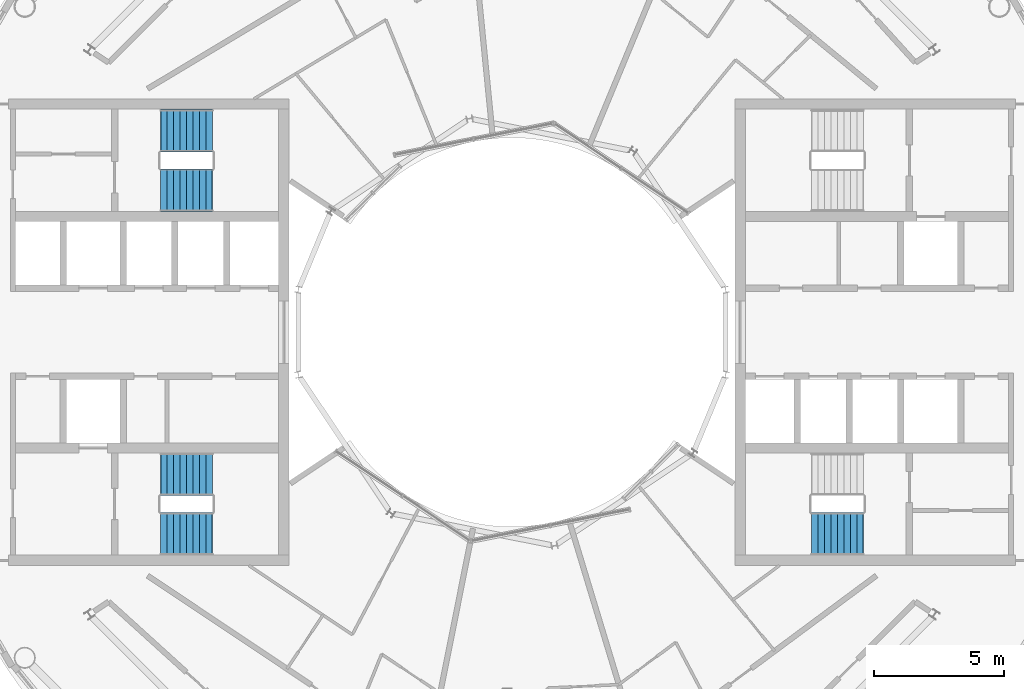
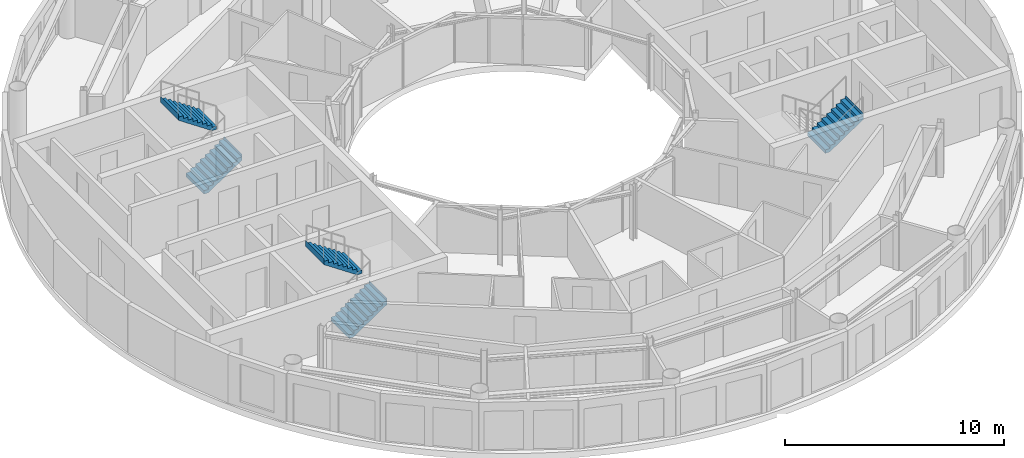
# One storey, part 15 of 17: 5 stair flights, 3 elements without a shape of their own.
"""IFC4 building model written with IfcOpenShell, lengths in metres."""

from ifc_helpers import new_model, si_unit, direction, frame, origin, place, context, subcontext, project, spatial, triangles, material, type_object, element, aggregate, save


model = new_model("IFC4")

# Units and contexts
model_context = context("Model", 3, precision=1e-05, world=origin(), true_north=direction((0.0, 1.0)))
body_context = subcontext(model_context, "Body", "Model", "MODEL_VIEW")
ifc_project = project(units=[si_unit("LENGTHUNIT", "METRE"), si_unit("AREAUNIT", "SQUARE_METRE"), si_unit("VOLUMEUNIT", "CUBIC_METRE"), si_unit("PLANEANGLEUNIT", "RADIAN"), si_unit("MASSUNIT", "GRAM", prefix="KILO")], contexts=[model_context])

# Site, building, storey
site_placement = place(None, origin())
site = spatial("IfcSite", under=ifc_project, at=site_placement, CompositionType="ELEMENT")
building_placement = place(site_placement, origin())
building = spatial("IfcBuilding", under=site, at=building_placement, Name="Maasbend Ring Residences", CompositionType="ELEMENT")
storey_placement = place(building_placement, frame((0.0, 0.0, 249.300048828125)))
storey = spatial("IfcBuildingStorey", under=building, at=storey_placement, Name="L72", CompositionType="ELEMENT", Elevation=249.300048828125)

# Stair, stair flight
ifc_material_1 = material(Name="Concrete C40/50", Category="concrete")
stair_type = type_object("IfcStairType", Name="CORE STAIR 18 RISERS", PredefinedType="HALF_TURN_STAIR", material=ifc_material_1)
stair_1_placement = place(storey_placement, origin())
stair_1 = element("IfcStair", 1, at=stair_1_placement, inside=storey, type_object=stair_type, Name="L72 Exit stair ST-E2", PredefinedType="HALF_TURN_STAIR")
ifc_material_2 = material(Name="Concrete C40/50", Category="concrete")
stair_flight_type = type_object("IfcStairFlightType", Name="CORE STAIR FLIGHT 1650", PredefinedType="STRAIGHT", material=ifc_material_2)
stair_flight_1_placement = place(storey_placement, frame((11.550048828125, -7.77490234375, 1.52490234375), z_axis=(0.0, 0.0, 1.0), x_axis=(1.0, 0.0, 0.0)))
stair_flight_1 = element("IfcStairFlight", 2, at=stair_flight_1_placement, type_object=stair_flight_type, Name="ST-E2 flight 2", NumberOfRisers=9, NumberOfTreads=8, PredefinedType="STRAIGHT", RiserHeight=0.169444444, TreadLength=0.25, context=body_context, shape_type="Tessellation", body=[
    triangles([(0.24072265625, 0.824951171875, -0.02001953125), (2.0029296875, 0.824951171875, 1.174560546875), (2.0029296875, 0.824951171875, 1.52490234375), (1.989990234375, 0.824951171875, 1.35546875), (1.75, 0.824951171875, 1.35546875), (1.75, 0.824951171875, 1.18603515625), (1.5, 0.824951171875, 1.18603515625), (1.5, 0.824951171875, 1.0166015625), (1.25, 0.824951171875, 1.0166015625), (1.25, 0.824951171875, 0.84716796875), (1.0, 0.824951171875, 0.84716796875), (1.0, 0.824951171875, 0.677734375), (0.75, 0.824951171875, 0.677734375), (0.75, 0.824951171875, 0.50830078125), (0.5, 0.824951171875, 0.50830078125), (0.5, 0.824951171875, 0.3388671875), (0.25, 0.824951171875, 0.3388671875), (0.25, 0.824951171875, 0.16943359375), (0.0, 0.824951171875, 0.16943359375), (0.0, 0.824951171875, 0.0), (-0.0029296875, 0.824951171875, 0.0), (-0.0029296875, 0.824951171875, -0.02001953125), (0.24072265625, 0.27490234375, -0.02001953125), (2.0029296875, 0.27490234375, 1.174560546875), (2.0029296875, 0.27490234375, 1.52490234375), (1.989990234375, 0.27490234375, 1.35546875), (1.75, 0.27490234375, 1.35546875), (1.75, 0.27490234375, 1.18603515625), (1.5, 0.27490234375, 1.18603515625), (1.5, 0.27490234375, 1.0166015625), (1.25, 0.27490234375, 1.0166015625), (1.25, 0.27490234375, 0.84716796875), (1.0, 0.27490234375, 0.84716796875), (1.0, 0.27490234375, 0.677734375), (0.75, 0.27490234375, 0.677734375), (0.75, 0.27490234375, 0.50830078125), (0.5, 0.27490234375, 0.50830078125), (0.5, 0.27490234375, 0.3388671875), (0.25, 0.27490234375, 0.3388671875), (0.25, 0.27490234375, 0.16943359375), (0.0, 0.27490234375, 0.16943359375), (0.0, 0.27490234375, 0.0), (-0.0029296875, 0.27490234375, 0.0), (-0.0029296875, 0.27490234375, -0.02001953125), (0.24072265625, -0.27490234375, -0.02001953125), (2.0029296875, -0.27490234375, 1.174560546875), (2.0029296875, -0.27490234375, 1.52490234375), (1.989990234375, -0.27490234375, 1.35546875), (1.75, -0.27490234375, 1.35546875), (1.75, -0.27490234375, 1.18603515625), (1.5, -0.27490234375, 1.18603515625), (1.5, -0.27490234375, 1.0166015625), (1.25, -0.27490234375, 1.0166015625), (1.25, -0.27490234375, 0.84716796875), (1.0, -0.27490234375, 0.84716796875), (1.0, -0.27490234375, 0.677734375), (0.75, -0.27490234375, 0.677734375), (0.75, -0.27490234375, 0.50830078125), (0.5, -0.27490234375, 0.50830078125), (0.5, -0.27490234375, 0.3388671875), (0.25, -0.27490234375, 0.3388671875), (0.25, -0.27490234375, 0.16943359375), (0.0, -0.27490234375, 0.16943359375), (0.0, -0.27490234375, 0.0), (-0.0029296875, -0.27490234375, 0.0), (-0.0029296875, -0.27490234375, -0.02001953125), (0.24072265625, -0.824951171875, -0.02001953125), (2.0029296875, -0.824951171875, 1.174560546875), (2.0029296875, -0.824951171875, 1.52490234375), (1.989990234375, -0.824951171875, 1.35546875), (1.75, -0.824951171875, 1.35546875), (1.75, -0.824951171875, 1.18603515625), (1.5, -0.824951171875, 1.18603515625), (1.5, -0.824951171875, 1.0166015625), (1.25, -0.824951171875, 1.0166015625), (1.25, -0.824951171875, 0.84716796875), (1.0, -0.824951171875, 0.84716796875), (1.0, -0.824951171875, 0.677734375), (0.75, -0.824951171875, 0.677734375), (0.75, -0.824951171875, 0.50830078125), (0.5, -0.824951171875, 0.50830078125), (0.5, -0.824951171875, 0.3388671875), (0.25, -0.824951171875, 0.3388671875), (0.25, -0.824951171875, 0.16943359375), (0.0, -0.824951171875, 0.16943359375), (0.0, -0.824951171875, 0.0), (-0.0029296875, -0.824951171875, 0.0), (-0.0029296875, -0.824951171875, -0.02001953125)], [[1, 2, 24], [1, 24, 23], [23, 24, 46], [23, 46, 45], [45, 46, 68], [45, 68, 67], [2, 3, 25], [2, 25, 24], [24, 25, 47], [24, 47, 46], [46, 47, 69], [46, 69, 68], [3, 4, 26], [3, 26, 25], [25, 26, 48], [25, 48, 47], [47, 48, 70], [47, 70, 69], [4, 5, 27], [4, 27, 26], [26, 27, 49], [26, 49, 48], [48, 49, 71], [48, 71, 70], [5, 6, 28], [5, 28, 27], [27, 28, 50], [27, 50, 49], [49, 50, 72], [49, 72, 71], [6, 7, 29], [6, 29, 28], [28, 29, 51], [28, 51, 50], [50, 51, 73], [50, 73, 72], [7, 8, 30], [7, 30, 29], [29, 30, 52], [29, 52, 51], [51, 52, 74], [51, 74, 73], [8, 9, 31], [8, 31, 30], [30, 31, 53], [30, 53, 52], [52, 53, 75], [52, 75, 74], [9, 10, 32], [9, 32, 31], [31, 32, 54], [31, 54, 53], [53, 54, 76], [53, 76, 75], [10, 11, 33], [10, 33, 32], [32, 33, 55], [32, 55, 54], [54, 55, 77], [54, 77, 76], [11, 12, 34], [11, 34, 33], [33, 34, 56], [33, 56, 55], [55, 56, 78], [55, 78, 77], [12, 13, 35], [12, 35, 34], [34, 35, 57], [34, 57, 56], [56, 57, 79], [56, 79, 78], [13, 14, 36], [13, 36, 35], [35, 36, 58], [35, 58, 57], [57, 58, 80], [57, 80, 79], [14, 15, 37], [14, 37, 36], [36, 37, 59], [36, 59, 58], [58, 59, 81], [58, 81, 80], [15, 16, 38], [15, 38, 37], [37, 38, 60], [37, 60, 59], [59, 60, 82], [59, 82, 81], [16, 17, 39], [16, 39, 38], [38, 39, 61], [38, 61, 60], [60, 61, 83], [60, 83, 82], [17, 18, 40], [17, 40, 39], [39, 40, 62], [39, 62, 61], [61, 62, 84], [61, 84, 83], [18, 19, 41], [18, 41, 40], [40, 41, 63], [40, 63, 62], [62, 63, 85], [62, 85, 84], [19, 20, 42], [19, 42, 41], [41, 42, 64], [41, 64, 63], [63, 64, 86], [63, 86, 85], [20, 21, 43], [20, 43, 42], [42, 43, 65], [42, 65, 64], [64, 65, 87], [64, 87, 86], [21, 22, 44], [21, 44, 43], [43, 44, 66], [43, 66, 65], [65, 66, 88], [65, 88, 87], [22, 1, 23], [22, 23, 44], [44, 23, 45], [44, 45, 66], [66, 45, 67], [66, 67, 88], [22, 2, 1], [2, 4, 3], [2, 5, 4], [2, 6, 5], [22, 6, 2], [6, 8, 7], [22, 8, 6], [8, 10, 9], [22, 10, 8], [10, 12, 11], [22, 12, 10], [12, 14, 13], [22, 14, 12], [14, 16, 15], [22, 16, 14], [16, 18, 17], [22, 18, 16], [18, 20, 19], [22, 20, 18], [20, 22, 21], [88, 67, 68], [68, 69, 70], [68, 70, 71], [68, 71, 72], [88, 68, 72], [72, 73, 74], [88, 72, 74], [74, 75, 76], [88, 74, 76], [76, 77, 78], [88, 76, 78], [78, 79, 80], [88, 78, 80], [80, 81, 82], [88, 80, 82], [82, 83, 84], [88, 82, 84], [84, 85, 86], [88, 84, 86], [86, 87, 88]], closed=True),
])
aggregate(stair_1, [stair_flight_1])

# Stair, stair flights
stair_2_placement = place(storey_placement, origin())
stair_2 = element("IfcStair", 3, at=stair_2_placement, inside=storey, type_object=stair_type, Name="L72 Exit stair ST-W1", PredefinedType="HALF_TURN_STAIR")
stair_flight_2_placement = place(storey_placement, frame((-13.550048828125, -7.77490234375, 0.0), z_axis=(0.0, 0.0, 1.0), x_axis=(1.0, 0.0, 0.0)))
stair_flight_2 = element("IfcStairFlight", 4, at=stair_flight_2_placement, type_object=stair_flight_type, Name="ST-W1 flight 1", NumberOfRisers=9, NumberOfTreads=8, PredefinedType="STRAIGHT", RiserHeight=0.169444444, TreadLength=0.25, context=body_context, shape_type="Tessellation", body=[
    triangles([(0.24072265625, 0.824951171875, -0.02001953125), (2.0029296875, 0.824951171875, 1.174560546875), (2.0029296875, 0.824951171875, 1.52490234375), (1.989990234375, 0.824951171875, 1.35546875), (1.75, 0.824951171875, 1.35546875), (1.75, 0.824951171875, 1.18603515625), (1.5, 0.824951171875, 1.18603515625), (1.5, 0.824951171875, 1.0166015625), (1.25, 0.824951171875, 1.0166015625), (1.25, 0.824951171875, 0.84716796875), (1.0, 0.824951171875, 0.84716796875), (1.0, 0.824951171875, 0.677734375), (0.75, 0.824951171875, 0.677734375), (0.75, 0.824951171875, 0.50830078125), (0.5, 0.824951171875, 0.50830078125), (0.5, 0.824951171875, 0.3388671875), (0.25, 0.824951171875, 0.3388671875), (0.25, 0.824951171875, 0.16943359375), (0.0, 0.824951171875, 0.16943359375), (0.0, 0.824951171875, 0.0), (-0.0029296875, 0.824951171875, 0.0), (-0.0029296875, 0.824951171875, -0.02001953125), (0.24072265625, 0.27490234375, -0.02001953125), (2.0029296875, 0.27490234375, 1.174560546875), (2.0029296875, 0.27490234375, 1.52490234375), (1.989990234375, 0.27490234375, 1.35546875), (1.75, 0.27490234375, 1.35546875), (1.75, 0.27490234375, 1.18603515625), (1.5, 0.27490234375, 1.18603515625), (1.5, 0.27490234375, 1.0166015625), (1.25, 0.27490234375, 1.0166015625), (1.25, 0.27490234375, 0.84716796875), (1.0, 0.27490234375, 0.84716796875), (1.0, 0.27490234375, 0.677734375), (0.75, 0.27490234375, 0.677734375), (0.75, 0.27490234375, 0.50830078125), (0.5, 0.27490234375, 0.50830078125), (0.5, 0.27490234375, 0.3388671875), (0.25, 0.27490234375, 0.3388671875), (0.25, 0.27490234375, 0.16943359375), (0.0, 0.27490234375, 0.16943359375), (0.0, 0.27490234375, 0.0), (-0.0029296875, 0.27490234375, 0.0), (-0.0029296875, 0.27490234375, -0.02001953125), (0.24072265625, -0.27490234375, -0.02001953125), (2.0029296875, -0.27490234375, 1.174560546875), (2.0029296875, -0.27490234375, 1.52490234375), (1.989990234375, -0.27490234375, 1.35546875), (1.75, -0.27490234375, 1.35546875), (1.75, -0.27490234375, 1.18603515625), (1.5, -0.27490234375, 1.18603515625), (1.5, -0.27490234375, 1.0166015625), (1.25, -0.27490234375, 1.0166015625), (1.25, -0.27490234375, 0.84716796875), (1.0, -0.27490234375, 0.84716796875), (1.0, -0.27490234375, 0.677734375), (0.75, -0.27490234375, 0.677734375), (0.75, -0.27490234375, 0.50830078125), (0.5, -0.27490234375, 0.50830078125), (0.5, -0.27490234375, 0.3388671875), (0.25, -0.27490234375, 0.3388671875), (0.25, -0.27490234375, 0.16943359375), (0.0, -0.27490234375, 0.16943359375), (0.0, -0.27490234375, 0.0), (-0.0029296875, -0.27490234375, 0.0), (-0.0029296875, -0.27490234375, -0.02001953125), (0.24072265625, -0.824951171875, -0.02001953125), (2.0029296875, -0.824951171875, 1.174560546875), (2.0029296875, -0.824951171875, 1.52490234375), (1.989990234375, -0.824951171875, 1.35546875), (1.75, -0.824951171875, 1.35546875), (1.75, -0.824951171875, 1.18603515625), (1.5, -0.824951171875, 1.18603515625), (1.5, -0.824951171875, 1.0166015625), (1.25, -0.824951171875, 1.0166015625), (1.25, -0.824951171875, 0.84716796875), (1.0, -0.824951171875, 0.84716796875), (1.0, -0.824951171875, 0.677734375), (0.75, -0.824951171875, 0.677734375), (0.75, -0.824951171875, 0.50830078125), (0.5, -0.824951171875, 0.50830078125), (0.5, -0.824951171875, 0.3388671875), (0.25, -0.824951171875, 0.3388671875), (0.25, -0.824951171875, 0.16943359375), (0.0, -0.824951171875, 0.16943359375), (0.0, -0.824951171875, 0.0), (-0.0029296875, -0.824951171875, 0.0), (-0.0029296875, -0.824951171875, -0.02001953125)], [[1, 2, 24], [1, 24, 23], [23, 24, 46], [23, 46, 45], [45, 46, 68], [45, 68, 67], [2, 3, 25], [2, 25, 24], [24, 25, 47], [24, 47, 46], [46, 47, 69], [46, 69, 68], [3, 4, 26], [3, 26, 25], [25, 26, 48], [25, 48, 47], [47, 48, 70], [47, 70, 69], [4, 5, 27], [4, 27, 26], [26, 27, 49], [26, 49, 48], [48, 49, 71], [48, 71, 70], [5, 6, 28], [5, 28, 27], [27, 28, 50], [27, 50, 49], [49, 50, 72], [49, 72, 71], [6, 7, 29], [6, 29, 28], [28, 29, 51], [28, 51, 50], [50, 51, 73], [50, 73, 72], [7, 8, 30], [7, 30, 29], [29, 30, 52], [29, 52, 51], [51, 52, 74], [51, 74, 73], [8, 9, 31], [8, 31, 30], [30, 31, 53], [30, 53, 52], [52, 53, 75], [52, 75, 74], [9, 10, 32], [9, 32, 31], [31, 32, 54], [31, 54, 53], [53, 54, 76], [53, 76, 75], [10, 11, 33], [10, 33, 32], [32, 33, 55], [32, 55, 54], [54, 55, 77], [54, 77, 76], [11, 12, 34], [11, 34, 33], [33, 34, 56], [33, 56, 55], [55, 56, 78], [55, 78, 77], [12, 13, 35], [12, 35, 34], [34, 35, 57], [34, 57, 56], [56, 57, 79], [56, 79, 78], [13, 14, 36], [13, 36, 35], [35, 36, 58], [35, 58, 57], [57, 58, 80], [57, 80, 79], [14, 15, 37], [14, 37, 36], [36, 37, 59], [36, 59, 58], [58, 59, 81], [58, 81, 80], [15, 16, 38], [15, 38, 37], [37, 38, 60], [37, 60, 59], [59, 60, 82], [59, 82, 81], [16, 17, 39], [16, 39, 38], [38, 39, 61], [38, 61, 60], [60, 61, 83], [60, 83, 82], [17, 18, 40], [17, 40, 39], [39, 40, 62], [39, 62, 61], [61, 62, 84], [61, 84, 83], [18, 19, 41], [18, 41, 40], [40, 41, 63], [40, 63, 62], [62, 63, 85], [62, 85, 84], [19, 20, 42], [19, 42, 41], [41, 42, 64], [41, 64, 63], [63, 64, 86], [63, 86, 85], [20, 21, 43], [20, 43, 42], [42, 43, 65], [42, 65, 64], [64, 65, 87], [64, 87, 86], [21, 22, 44], [21, 44, 43], [43, 44, 66], [43, 66, 65], [65, 66, 88], [65, 88, 87], [22, 1, 23], [22, 23, 44], [44, 23, 45], [44, 45, 66], [66, 45, 67], [66, 67, 88], [22, 2, 1], [2, 4, 3], [2, 5, 4], [2, 6, 5], [22, 6, 2], [6, 8, 7], [22, 8, 6], [8, 10, 9], [22, 10, 8], [10, 12, 11], [22, 12, 10], [12, 14, 13], [22, 14, 12], [14, 16, 15], [22, 16, 14], [16, 18, 17], [22, 18, 16], [18, 20, 19], [22, 20, 18], [20, 22, 21], [88, 67, 68], [68, 69, 70], [68, 70, 71], [68, 71, 72], [88, 68, 72], [72, 73, 74], [88, 72, 74], [74, 75, 76], [88, 74, 76], [76, 77, 78], [88, 76, 78], [78, 79, 80], [88, 78, 80], [80, 81, 82], [88, 80, 82], [82, 83, 84], [88, 82, 84], [84, 85, 86], [88, 84, 86], [86, 87, 88]], closed=True),
])
stair_flight_3_placement = place(storey_placement, frame((-11.550048828125, -5.47509765625, 1.52490234375), z_axis=(0.0, 0.0, 1.0), x_axis=(-1.0, 0.0, 0.0)))
stair_flight_3 = element("IfcStairFlight", 5, at=stair_flight_3_placement, type_object=stair_flight_type, Name="ST-W1 flight 2", NumberOfRisers=9, NumberOfTreads=8, PredefinedType="STRAIGHT", RiserHeight=0.169444444, TreadLength=0.25, context=body_context, shape_type="Tessellation", body=[
    triangles([(0.24072265625, 0.824951171875, -0.02001953125), (2.0029296875, 0.824951171875, 1.174560546875), (2.0029296875, 0.824951171875, 1.52490234375), (1.989990234375, 0.824951171875, 1.35546875), (1.75, 0.824951171875, 1.35546875), (1.75, 0.824951171875, 1.18603515625), (1.5, 0.824951171875, 1.18603515625), (1.5, 0.824951171875, 1.0166015625), (1.25, 0.824951171875, 1.0166015625), (1.25, 0.824951171875, 0.84716796875), (1.0, 0.824951171875, 0.84716796875), (1.0, 0.824951171875, 0.677734375), (0.75, 0.824951171875, 0.677734375), (0.75, 0.824951171875, 0.50830078125), (0.5, 0.824951171875, 0.50830078125), (0.5, 0.824951171875, 0.3388671875), (0.25, 0.824951171875, 0.3388671875), (0.25, 0.824951171875, 0.16943359375), (0.0, 0.824951171875, 0.16943359375), (0.0, 0.824951171875, 0.0), (-0.0029296875, 0.824951171875, 0.0), (-0.0029296875, 0.824951171875, -0.02001953125), (0.24072265625, 0.27490234375, -0.02001953125), (2.0029296875, 0.27490234375, 1.174560546875), (2.0029296875, 0.27490234375, 1.52490234375), (1.989990234375, 0.27490234375, 1.35546875), (1.75, 0.27490234375, 1.35546875), (1.75, 0.27490234375, 1.18603515625), (1.5, 0.27490234375, 1.18603515625), (1.5, 0.27490234375, 1.0166015625), (1.25, 0.27490234375, 1.0166015625), (1.25, 0.27490234375, 0.84716796875), (1.0, 0.27490234375, 0.84716796875), (1.0, 0.27490234375, 0.677734375), (0.75, 0.27490234375, 0.677734375), (0.75, 0.27490234375, 0.50830078125), (0.5, 0.27490234375, 0.50830078125), (0.5, 0.27490234375, 0.3388671875), (0.25, 0.27490234375, 0.3388671875), (0.25, 0.27490234375, 0.16943359375), (0.0, 0.27490234375, 0.16943359375), (0.0, 0.27490234375, 0.0), (-0.0029296875, 0.27490234375, 0.0), (-0.0029296875, 0.27490234375, -0.02001953125), (0.24072265625, -0.27490234375, -0.02001953125), (2.0029296875, -0.27490234375, 1.174560546875), (2.0029296875, -0.27490234375, 1.52490234375), (1.989990234375, -0.27490234375, 1.35546875), (1.75, -0.27490234375, 1.35546875), (1.75, -0.27490234375, 1.18603515625), (1.5, -0.27490234375, 1.18603515625), (1.5, -0.27490234375, 1.0166015625), (1.25, -0.27490234375, 1.0166015625), (1.25, -0.27490234375, 0.84716796875), (1.0, -0.27490234375, 0.84716796875), (1.0, -0.27490234375, 0.677734375), (0.75, -0.27490234375, 0.677734375), (0.75, -0.27490234375, 0.50830078125), (0.5, -0.27490234375, 0.50830078125), (0.5, -0.27490234375, 0.3388671875), (0.25, -0.27490234375, 0.3388671875), (0.25, -0.27490234375, 0.16943359375), (0.0, -0.27490234375, 0.16943359375), (0.0, -0.27490234375, 0.0), (-0.0029296875, -0.27490234375, 0.0), (-0.0029296875, -0.27490234375, -0.02001953125), (0.24072265625, -0.824951171875, -0.02001953125), (2.0029296875, -0.824951171875, 1.174560546875), (2.0029296875, -0.824951171875, 1.52490234375), (1.989990234375, -0.824951171875, 1.35546875), (1.75, -0.824951171875, 1.35546875), (1.75, -0.824951171875, 1.18603515625), (1.5, -0.824951171875, 1.18603515625), (1.5, -0.824951171875, 1.0166015625), (1.25, -0.824951171875, 1.0166015625), (1.25, -0.824951171875, 0.84716796875), (1.0, -0.824951171875, 0.84716796875), (1.0, -0.824951171875, 0.677734375), (0.75, -0.824951171875, 0.677734375), (0.75, -0.824951171875, 0.50830078125), (0.5, -0.824951171875, 0.50830078125), (0.5, -0.824951171875, 0.3388671875), (0.25, -0.824951171875, 0.3388671875), (0.25, -0.824951171875, 0.16943359375), (0.0, -0.824951171875, 0.16943359375), (0.0, -0.824951171875, 0.0), (-0.0029296875, -0.824951171875, 0.0), (-0.0029296875, -0.824951171875, -0.02001953125)], [[1, 2, 24], [1, 24, 23], [23, 24, 46], [23, 46, 45], [45, 46, 68], [45, 68, 67], [2, 3, 25], [2, 25, 24], [24, 25, 47], [24, 47, 46], [46, 47, 69], [46, 69, 68], [3, 4, 26], [3, 26, 25], [25, 26, 48], [25, 48, 47], [47, 48, 70], [47, 70, 69], [4, 5, 27], [4, 27, 26], [26, 27, 49], [26, 49, 48], [48, 49, 71], [48, 71, 70], [5, 6, 28], [5, 28, 27], [27, 28, 50], [27, 50, 49], [49, 50, 72], [49, 72, 71], [6, 7, 29], [6, 29, 28], [28, 29, 51], [28, 51, 50], [50, 51, 73], [50, 73, 72], [7, 8, 30], [7, 30, 29], [29, 30, 52], [29, 52, 51], [51, 52, 74], [51, 74, 73], [8, 9, 31], [8, 31, 30], [30, 31, 53], [30, 53, 52], [52, 53, 75], [52, 75, 74], [9, 10, 32], [9, 32, 31], [31, 32, 54], [31, 54, 53], [53, 54, 76], [53, 76, 75], [10, 11, 33], [10, 33, 32], [32, 33, 55], [32, 55, 54], [54, 55, 77], [54, 77, 76], [11, 12, 34], [11, 34, 33], [33, 34, 56], [33, 56, 55], [55, 56, 78], [55, 78, 77], [12, 13, 35], [12, 35, 34], [34, 35, 57], [34, 57, 56], [56, 57, 79], [56, 79, 78], [13, 14, 36], [13, 36, 35], [35, 36, 58], [35, 58, 57], [57, 58, 80], [57, 80, 79], [14, 15, 37], [14, 37, 36], [36, 37, 59], [36, 59, 58], [58, 59, 81], [58, 81, 80], [15, 16, 38], [15, 38, 37], [37, 38, 60], [37, 60, 59], [59, 60, 82], [59, 82, 81], [16, 17, 39], [16, 39, 38], [38, 39, 61], [38, 61, 60], [60, 61, 83], [60, 83, 82], [17, 18, 40], [17, 40, 39], [39, 40, 62], [39, 62, 61], [61, 62, 84], [61, 84, 83], [18, 19, 41], [18, 41, 40], [40, 41, 63], [40, 63, 62], [62, 63, 85], [62, 85, 84], [19, 20, 42], [19, 42, 41], [41, 42, 64], [41, 64, 63], [63, 64, 86], [63, 86, 85], [20, 21, 43], [20, 43, 42], [42, 43, 65], [42, 65, 64], [64, 65, 87], [64, 87, 86], [21, 22, 44], [21, 44, 43], [43, 44, 66], [43, 66, 65], [65, 66, 88], [65, 88, 87], [22, 1, 23], [22, 23, 44], [44, 23, 45], [44, 45, 66], [66, 45, 67], [66, 67, 88], [22, 2, 1], [2, 4, 3], [2, 5, 4], [2, 6, 5], [22, 6, 2], [6, 8, 7], [22, 8, 6], [8, 10, 9], [22, 10, 8], [10, 12, 11], [22, 12, 10], [12, 14, 13], [22, 14, 12], [14, 16, 15], [22, 16, 14], [16, 18, 17], [22, 18, 16], [18, 20, 19], [22, 20, 18], [20, 22, 21], [88, 67, 68], [68, 69, 70], [68, 70, 71], [68, 71, 72], [88, 68, 72], [72, 73, 74], [88, 72, 74], [74, 75, 76], [88, 74, 76], [76, 77, 78], [88, 76, 78], [78, 79, 80], [88, 78, 80], [80, 81, 82], [88, 80, 82], [82, 83, 84], [88, 82, 84], [84, 85, 86], [88, 84, 86], [86, 87, 88]], closed=True),
])
aggregate(stair_2, [stair_flight_2, stair_flight_3])

stair_3_placement = place(storey_placement, origin())
stair_3 = element("IfcStair", 6, at=stair_3_placement, inside=storey, type_object=stair_type, Name="L72 Exit stair ST-W2", PredefinedType="HALF_TURN_STAIR")
stair_flight_4_placement = place(storey_placement, frame((-13.550048828125, 5.47509765625, 0.0), z_axis=(0.0, 0.0, 1.0), x_axis=(1.0, 0.0, 0.0)))
stair_flight_4 = element("IfcStairFlight", 7, at=stair_flight_4_placement, type_object=stair_flight_type, Name="ST-W2 flight 1", NumberOfRisers=9, NumberOfTreads=8, PredefinedType="STRAIGHT", RiserHeight=0.169444444, TreadLength=0.25, context=body_context, shape_type="Tessellation", body=[
    triangles([(0.24072265625, 0.824951171875, -0.02001953125), (2.0029296875, 0.824951171875, 1.174560546875), (2.0029296875, 0.824951171875, 1.52490234375), (1.989990234375, 0.824951171875, 1.35546875), (1.75, 0.824951171875, 1.35546875), (1.75, 0.824951171875, 1.18603515625), (1.5, 0.824951171875, 1.18603515625), (1.5, 0.824951171875, 1.0166015625), (1.25, 0.824951171875, 1.0166015625), (1.25, 0.824951171875, 0.84716796875), (1.0, 0.824951171875, 0.84716796875), (1.0, 0.824951171875, 0.677734375), (0.75, 0.824951171875, 0.677734375), (0.75, 0.824951171875, 0.50830078125), (0.5, 0.824951171875, 0.50830078125), (0.5, 0.824951171875, 0.3388671875), (0.25, 0.824951171875, 0.3388671875), (0.25, 0.824951171875, 0.16943359375), (0.0, 0.824951171875, 0.16943359375), (0.0, 0.824951171875, 0.0), (-0.0029296875, 0.824951171875, 0.0), (-0.0029296875, 0.824951171875, -0.02001953125), (0.24072265625, 0.27490234375, -0.02001953125), (2.0029296875, 0.27490234375, 1.174560546875), (2.0029296875, 0.27490234375, 1.52490234375), (1.989990234375, 0.27490234375, 1.35546875), (1.75, 0.27490234375, 1.35546875), (1.75, 0.27490234375, 1.18603515625), (1.5, 0.27490234375, 1.18603515625), (1.5, 0.27490234375, 1.0166015625), (1.25, 0.27490234375, 1.0166015625), (1.25, 0.27490234375, 0.84716796875), (1.0, 0.27490234375, 0.84716796875), (1.0, 0.27490234375, 0.677734375), (0.75, 0.27490234375, 0.677734375), (0.75, 0.27490234375, 0.50830078125), (0.5, 0.27490234375, 0.50830078125), (0.5, 0.27490234375, 0.3388671875), (0.25, 0.27490234375, 0.3388671875), (0.25, 0.27490234375, 0.16943359375), (0.0, 0.27490234375, 0.16943359375), (0.0, 0.27490234375, 0.0), (-0.0029296875, 0.27490234375, 0.0), (-0.0029296875, 0.27490234375, -0.02001953125), (0.24072265625, -0.27490234375, -0.02001953125), (2.0029296875, -0.27490234375, 1.174560546875), (2.0029296875, -0.27490234375, 1.52490234375), (1.989990234375, -0.27490234375, 1.35546875), (1.75, -0.27490234375, 1.35546875), (1.75, -0.27490234375, 1.18603515625), (1.5, -0.27490234375, 1.18603515625), (1.5, -0.27490234375, 1.0166015625), (1.25, -0.27490234375, 1.0166015625), (1.25, -0.27490234375, 0.84716796875), (1.0, -0.27490234375, 0.84716796875), (1.0, -0.27490234375, 0.677734375), (0.75, -0.27490234375, 0.677734375), (0.75, -0.27490234375, 0.50830078125), (0.5, -0.27490234375, 0.50830078125), (0.5, -0.27490234375, 0.3388671875), (0.25, -0.27490234375, 0.3388671875), (0.25, -0.27490234375, 0.16943359375), (0.0, -0.27490234375, 0.16943359375), (0.0, -0.27490234375, 0.0), (-0.0029296875, -0.27490234375, 0.0), (-0.0029296875, -0.27490234375, -0.02001953125), (0.24072265625, -0.824951171875, -0.02001953125), (2.0029296875, -0.824951171875, 1.174560546875), (2.0029296875, -0.824951171875, 1.52490234375), (1.989990234375, -0.824951171875, 1.35546875), (1.75, -0.824951171875, 1.35546875), (1.75, -0.824951171875, 1.18603515625), (1.5, -0.824951171875, 1.18603515625), (1.5, -0.824951171875, 1.0166015625), (1.25, -0.824951171875, 1.0166015625), (1.25, -0.824951171875, 0.84716796875), (1.0, -0.824951171875, 0.84716796875), (1.0, -0.824951171875, 0.677734375), (0.75, -0.824951171875, 0.677734375), (0.75, -0.824951171875, 0.50830078125), (0.5, -0.824951171875, 0.50830078125), (0.5, -0.824951171875, 0.3388671875), (0.25, -0.824951171875, 0.3388671875), (0.25, -0.824951171875, 0.16943359375), (0.0, -0.824951171875, 0.16943359375), (0.0, -0.824951171875, 0.0), (-0.0029296875, -0.824951171875, 0.0), (-0.0029296875, -0.824951171875, -0.02001953125)], [[1, 2, 24], [1, 24, 23], [23, 24, 46], [23, 46, 45], [45, 46, 68], [45, 68, 67], [2, 3, 25], [2, 25, 24], [24, 25, 47], [24, 47, 46], [46, 47, 69], [46, 69, 68], [3, 4, 26], [3, 26, 25], [25, 26, 48], [25, 48, 47], [47, 48, 70], [47, 70, 69], [4, 5, 27], [4, 27, 26], [26, 27, 49], [26, 49, 48], [48, 49, 71], [48, 71, 70], [5, 6, 28], [5, 28, 27], [27, 28, 50], [27, 50, 49], [49, 50, 72], [49, 72, 71], [6, 7, 29], [6, 29, 28], [28, 29, 51], [28, 51, 50], [50, 51, 73], [50, 73, 72], [7, 8, 30], [7, 30, 29], [29, 30, 52], [29, 52, 51], [51, 52, 74], [51, 74, 73], [8, 9, 31], [8, 31, 30], [30, 31, 53], [30, 53, 52], [52, 53, 75], [52, 75, 74], [9, 10, 32], [9, 32, 31], [31, 32, 54], [31, 54, 53], [53, 54, 76], [53, 76, 75], [10, 11, 33], [10, 33, 32], [32, 33, 55], [32, 55, 54], [54, 55, 77], [54, 77, 76], [11, 12, 34], [11, 34, 33], [33, 34, 56], [33, 56, 55], [55, 56, 78], [55, 78, 77], [12, 13, 35], [12, 35, 34], [34, 35, 57], [34, 57, 56], [56, 57, 79], [56, 79, 78], [13, 14, 36], [13, 36, 35], [35, 36, 58], [35, 58, 57], [57, 58, 80], [57, 80, 79], [14, 15, 37], [14, 37, 36], [36, 37, 59], [36, 59, 58], [58, 59, 81], [58, 81, 80], [15, 16, 38], [15, 38, 37], [37, 38, 60], [37, 60, 59], [59, 60, 82], [59, 82, 81], [16, 17, 39], [16, 39, 38], [38, 39, 61], [38, 61, 60], [60, 61, 83], [60, 83, 82], [17, 18, 40], [17, 40, 39], [39, 40, 62], [39, 62, 61], [61, 62, 84], [61, 84, 83], [18, 19, 41], [18, 41, 40], [40, 41, 63], [40, 63, 62], [62, 63, 85], [62, 85, 84], [19, 20, 42], [19, 42, 41], [41, 42, 64], [41, 64, 63], [63, 64, 86], [63, 86, 85], [20, 21, 43], [20, 43, 42], [42, 43, 65], [42, 65, 64], [64, 65, 87], [64, 87, 86], [21, 22, 44], [21, 44, 43], [43, 44, 66], [43, 66, 65], [65, 66, 88], [65, 88, 87], [22, 1, 23], [22, 23, 44], [44, 23, 45], [44, 45, 66], [66, 45, 67], [66, 67, 88], [22, 2, 1], [2, 4, 3], [2, 5, 4], [2, 6, 5], [22, 6, 2], [6, 8, 7], [22, 8, 6], [8, 10, 9], [22, 10, 8], [10, 12, 11], [22, 12, 10], [12, 14, 13], [22, 14, 12], [14, 16, 15], [22, 16, 14], [16, 18, 17], [22, 18, 16], [18, 20, 19], [22, 20, 18], [20, 22, 21], [88, 67, 68], [68, 69, 70], [68, 70, 71], [68, 71, 72], [88, 68, 72], [72, 73, 74], [88, 72, 74], [74, 75, 76], [88, 74, 76], [76, 77, 78], [88, 76, 78], [78, 79, 80], [88, 78, 80], [80, 81, 82], [88, 80, 82], [82, 83, 84], [88, 82, 84], [84, 85, 86], [88, 84, 86], [86, 87, 88]], closed=True),
])
stair_flight_5_placement = place(storey_placement, frame((-11.550048828125, 7.77490234375, 1.52490234375), z_axis=(0.0, 0.0, 1.0), x_axis=(-1.0, 0.0, 0.0)))
stair_flight_5 = element("IfcStairFlight", 8, at=stair_flight_5_placement, type_object=stair_flight_type, Name="ST-W2 flight 2", NumberOfRisers=9, NumberOfTreads=8, PredefinedType="STRAIGHT", RiserHeight=0.169444444, TreadLength=0.25, context=body_context, shape_type="Tessellation", body=[
    triangles([(0.24072265625, 0.824951171875, -0.02001953125), (2.0029296875, 0.824951171875, 1.174560546875), (2.0029296875, 0.824951171875, 1.52490234375), (1.989990234375, 0.824951171875, 1.35546875), (1.75, 0.824951171875, 1.35546875), (1.75, 0.824951171875, 1.18603515625), (1.5, 0.824951171875, 1.18603515625), (1.5, 0.824951171875, 1.0166015625), (1.25, 0.824951171875, 1.0166015625), (1.25, 0.824951171875, 0.84716796875), (1.0, 0.824951171875, 0.84716796875), (1.0, 0.824951171875, 0.677734375), (0.75, 0.824951171875, 0.677734375), (0.75, 0.824951171875, 0.50830078125), (0.5, 0.824951171875, 0.50830078125), (0.5, 0.824951171875, 0.3388671875), (0.25, 0.824951171875, 0.3388671875), (0.25, 0.824951171875, 0.16943359375), (0.0, 0.824951171875, 0.16943359375), (0.0, 0.824951171875, 0.0), (-0.0029296875, 0.824951171875, 0.0), (-0.0029296875, 0.824951171875, -0.02001953125), (0.24072265625, 0.27490234375, -0.02001953125), (2.0029296875, 0.27490234375, 1.174560546875), (2.0029296875, 0.27490234375, 1.52490234375), (1.989990234375, 0.27490234375, 1.35546875), (1.75, 0.27490234375, 1.35546875), (1.75, 0.27490234375, 1.18603515625), (1.5, 0.27490234375, 1.18603515625), (1.5, 0.27490234375, 1.0166015625), (1.25, 0.27490234375, 1.0166015625), (1.25, 0.27490234375, 0.84716796875), (1.0, 0.27490234375, 0.84716796875), (1.0, 0.27490234375, 0.677734375), (0.75, 0.27490234375, 0.677734375), (0.75, 0.27490234375, 0.50830078125), (0.5, 0.27490234375, 0.50830078125), (0.5, 0.27490234375, 0.3388671875), (0.25, 0.27490234375, 0.3388671875), (0.25, 0.27490234375, 0.16943359375), (0.0, 0.27490234375, 0.16943359375), (0.0, 0.27490234375, 0.0), (-0.0029296875, 0.27490234375, 0.0), (-0.0029296875, 0.27490234375, -0.02001953125), (0.24072265625, -0.27490234375, -0.02001953125), (2.0029296875, -0.27490234375, 1.174560546875), (2.0029296875, -0.27490234375, 1.52490234375), (1.989990234375, -0.27490234375, 1.35546875), (1.75, -0.27490234375, 1.35546875), (1.75, -0.27490234375, 1.18603515625), (1.5, -0.27490234375, 1.18603515625), (1.5, -0.27490234375, 1.0166015625), (1.25, -0.27490234375, 1.0166015625), (1.25, -0.27490234375, 0.84716796875), (1.0, -0.27490234375, 0.84716796875), (1.0, -0.27490234375, 0.677734375), (0.75, -0.27490234375, 0.677734375), (0.75, -0.27490234375, 0.50830078125), (0.5, -0.27490234375, 0.50830078125), (0.5, -0.27490234375, 0.3388671875), (0.25, -0.27490234375, 0.3388671875), (0.25, -0.27490234375, 0.16943359375), (0.0, -0.27490234375, 0.16943359375), (0.0, -0.27490234375, 0.0), (-0.0029296875, -0.27490234375, 0.0), (-0.0029296875, -0.27490234375, -0.02001953125), (0.24072265625, -0.824951171875, -0.02001953125), (2.0029296875, -0.824951171875, 1.174560546875), (2.0029296875, -0.824951171875, 1.52490234375), (1.989990234375, -0.824951171875, 1.35546875), (1.75, -0.824951171875, 1.35546875), (1.75, -0.824951171875, 1.18603515625), (1.5, -0.824951171875, 1.18603515625), (1.5, -0.824951171875, 1.0166015625), (1.25, -0.824951171875, 1.0166015625), (1.25, -0.824951171875, 0.84716796875), (1.0, -0.824951171875, 0.84716796875), (1.0, -0.824951171875, 0.677734375), (0.75, -0.824951171875, 0.677734375), (0.75, -0.824951171875, 0.50830078125), (0.5, -0.824951171875, 0.50830078125), (0.5, -0.824951171875, 0.3388671875), (0.25, -0.824951171875, 0.3388671875), (0.25, -0.824951171875, 0.16943359375), (0.0, -0.824951171875, 0.16943359375), (0.0, -0.824951171875, 0.0), (-0.0029296875, -0.824951171875, 0.0), (-0.0029296875, -0.824951171875, -0.02001953125)], [[1, 2, 24], [1, 24, 23], [23, 24, 46], [23, 46, 45], [45, 46, 68], [45, 68, 67], [2, 3, 25], [2, 25, 24], [24, 25, 47], [24, 47, 46], [46, 47, 69], [46, 69, 68], [3, 4, 26], [3, 26, 25], [25, 26, 48], [25, 48, 47], [47, 48, 70], [47, 70, 69], [4, 5, 27], [4, 27, 26], [26, 27, 49], [26, 49, 48], [48, 49, 71], [48, 71, 70], [5, 6, 28], [5, 28, 27], [27, 28, 50], [27, 50, 49], [49, 50, 72], [49, 72, 71], [6, 7, 29], [6, 29, 28], [28, 29, 51], [28, 51, 50], [50, 51, 73], [50, 73, 72], [7, 8, 30], [7, 30, 29], [29, 30, 52], [29, 52, 51], [51, 52, 74], [51, 74, 73], [8, 9, 31], [8, 31, 30], [30, 31, 53], [30, 53, 52], [52, 53, 75], [52, 75, 74], [9, 10, 32], [9, 32, 31], [31, 32, 54], [31, 54, 53], [53, 54, 76], [53, 76, 75], [10, 11, 33], [10, 33, 32], [32, 33, 55], [32, 55, 54], [54, 55, 77], [54, 77, 76], [11, 12, 34], [11, 34, 33], [33, 34, 56], [33, 56, 55], [55, 56, 78], [55, 78, 77], [12, 13, 35], [12, 35, 34], [34, 35, 57], [34, 57, 56], [56, 57, 79], [56, 79, 78], [13, 14, 36], [13, 36, 35], [35, 36, 58], [35, 58, 57], [57, 58, 80], [57, 80, 79], [14, 15, 37], [14, 37, 36], [36, 37, 59], [36, 59, 58], [58, 59, 81], [58, 81, 80], [15, 16, 38], [15, 38, 37], [37, 38, 60], [37, 60, 59], [59, 60, 82], [59, 82, 81], [16, 17, 39], [16, 39, 38], [38, 39, 61], [38, 61, 60], [60, 61, 83], [60, 83, 82], [17, 18, 40], [17, 40, 39], [39, 40, 62], [39, 62, 61], [61, 62, 84], [61, 84, 83], [18, 19, 41], [18, 41, 40], [40, 41, 63], [40, 63, 62], [62, 63, 85], [62, 85, 84], [19, 20, 42], [19, 42, 41], [41, 42, 64], [41, 64, 63], [63, 64, 86], [63, 86, 85], [20, 21, 43], [20, 43, 42], [42, 43, 65], [42, 65, 64], [64, 65, 87], [64, 87, 86], [21, 22, 44], [21, 44, 43], [43, 44, 66], [43, 66, 65], [65, 66, 88], [65, 88, 87], [22, 1, 23], [22, 23, 44], [44, 23, 45], [44, 45, 66], [66, 45, 67], [66, 67, 88], [22, 2, 1], [2, 4, 3], [2, 5, 4], [2, 6, 5], [22, 6, 2], [6, 8, 7], [22, 8, 6], [8, 10, 9], [22, 10, 8], [10, 12, 11], [22, 12, 10], [12, 14, 13], [22, 14, 12], [14, 16, 15], [22, 16, 14], [16, 18, 17], [22, 18, 16], [18, 20, 19], [22, 20, 18], [20, 22, 21], [88, 67, 68], [68, 69, 70], [68, 70, 71], [68, 71, 72], [88, 68, 72], [72, 73, 74], [88, 72, 74], [74, 75, 76], [88, 74, 76], [76, 77, 78], [88, 76, 78], [78, 79, 80], [88, 78, 80], [80, 81, 82], [88, 80, 82], [82, 83, 84], [88, 82, 84], [84, 85, 86], [88, 84, 86], [86, 87, 88]], closed=True),
])
aggregate(stair_3, [stair_flight_4, stair_flight_5])

save(model, "model.ifc")
